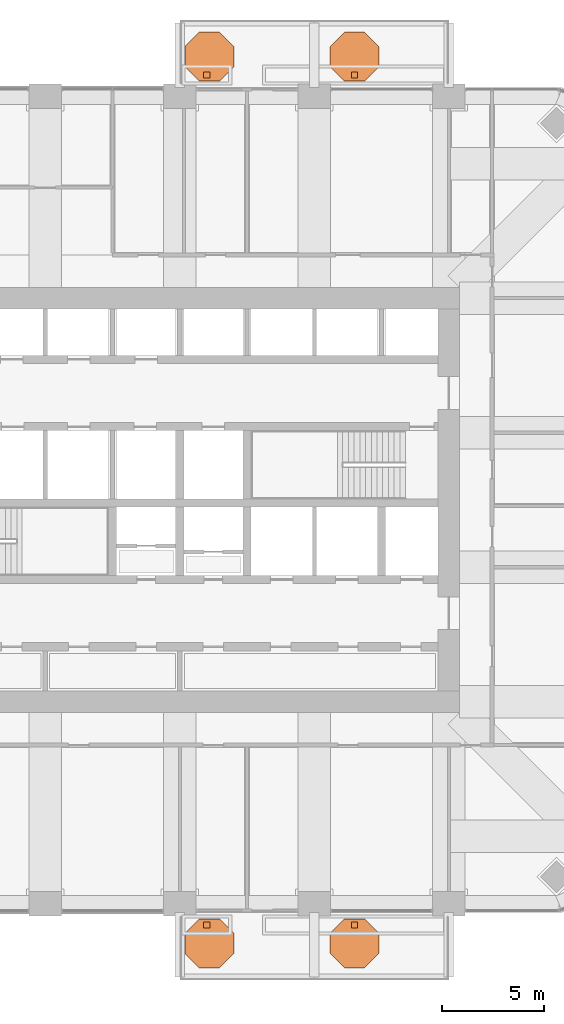
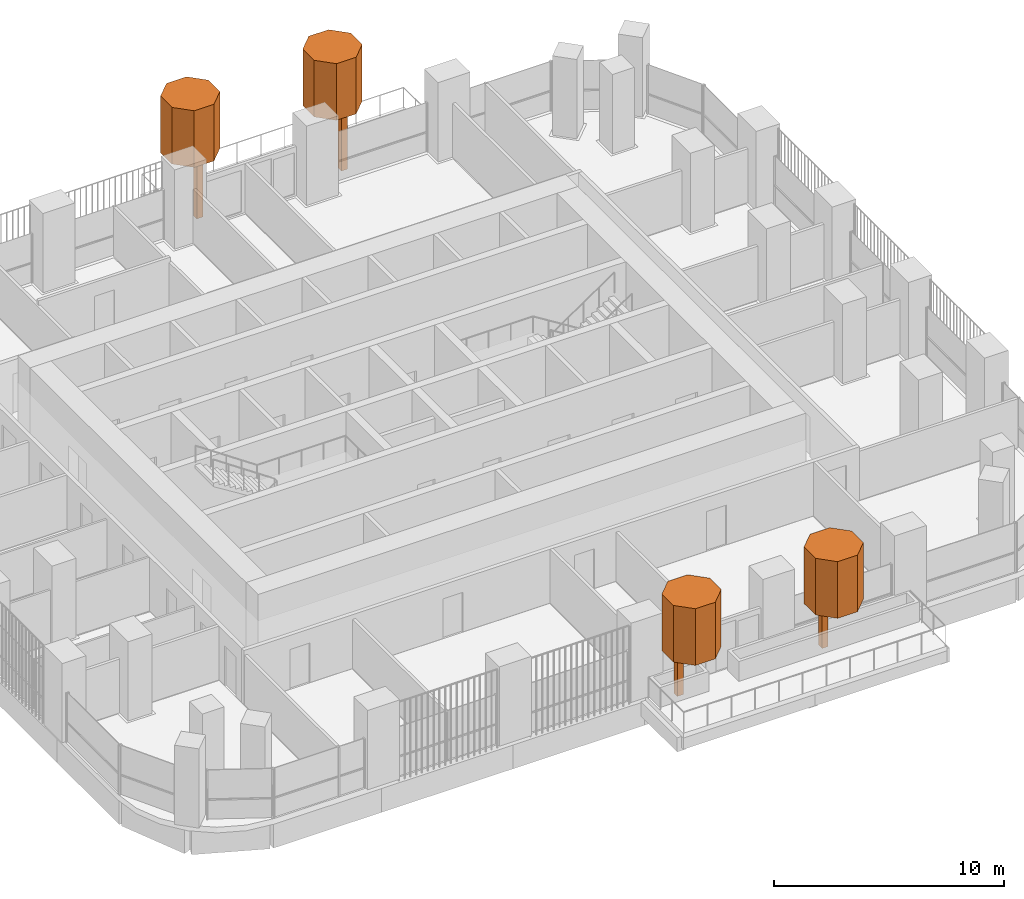
# One storey, part 20 of 20: 8 geographic elements.
"""IFC4 building model written with IfcOpenShell, lengths in metres."""

from ifc_helpers import new_model, si_unit, direction, frame, origin, origin_2d, place, context, subcontext, project, spatial, polyline, rectangle, outline, extrude, material, type_object, element, save


model = new_model("IFC4")

# Units and contexts
model_context = context("Model", 3, precision=1e-05, world=origin(), true_north=direction((0.0, 1.0)))
body_context = subcontext(model_context, "Body", "Model", "MODEL_VIEW")
ifc_project = project(units=[si_unit("LENGTHUNIT", "METRE"), si_unit("AREAUNIT", "SQUARE_METRE"), si_unit("VOLUMEUNIT", "CUBIC_METRE"), si_unit("PLANEANGLEUNIT", "RADIAN"), si_unit("MASSUNIT", "GRAM", prefix="KILO")], contexts=[model_context])

# Site, building, storey
site_placement = place(None, origin())
site = spatial("IfcSite", under=ifc_project, at=site_placement, CompositionType="ELEMENT")
building_placement = place(site_placement, origin())
building = spatial("IfcBuilding", under=site, at=building_placement, Name="Cobogo Forest Laboratory Tower", CompositionType="ELEMENT")
storey_placement = place(building_placement, frame((0.0, 0.0, 214.5)))
storey = spatial("IfcBuildingStorey", under=building, at=storey_placement, Name="L49", CompositionType="ELEMENT", Elevation=214.5)

# Geographic elements
ifc_material = material(Name="Planting", Category="plant")
geographic_element_type_1 = type_object("IfcGeographicElementType", Name="Tree trunk 300", PredefinedType="USERDEFINED", material=ifc_material)
for number, where, z_axis, x_axis, name in (
    (1, (27.72509765625, 2.25, 0.0), (0.0, 0.0, 1.0), (1.0, 0.0, 0.0), "Tree trunk BAL-S1-PL1 L49"),
    (2, (34.97509765625, 2.25, 0.0), (0.0, 0.0, 1.0), (1.0, 0.0, 0.0), "Tree trunk BAL-S1-PL2 L49"),
    (3, (27.72509765625, 43.949951171875, 0.0), (0.0, 0.0, 1.0), (1.0, 0.0, 0.0), "Tree trunk BAL-N1-PL1 L49"),
    (4, (34.97509765625, 43.949951171875, 0.0), (0.0, 0.0, 1.0), (1.0, 0.0, 0.0), "Tree trunk BAL-N1-PL2 L49"),
):
    element("IfcGeographicElement", number, at=place(storey_placement, frame(where, z_axis=z_axis, x_axis=x_axis)), inside=storey, type_object=geographic_element_type_1, Name=name, ObjectType="TREE TRUNK", PredefinedType="USERDEFINED", context=body_context, shape_type="SweptSolid", body=[
        extrude(rectangle(XDim=0.300048828125, YDim=0.300048828125, at=origin_2d()), origin(), (0.0, 0.0, 1.0), 2.89990234375),
    ])
geographic_element_type_2 = type_object("IfcGeographicElementType", Name="Tree, holm oak 5 m", PredefinedType="USERDEFINED", material=ifc_material)
geographic_element_1_placement = place(storey_placement, frame((0.0, 0.0, 2.89990234375)))
element("IfcGeographicElement", 5, at=geographic_element_1_placement, inside=storey, type_object=geographic_element_type_2, Name="Holm tree BAL-S1-PL1 L49", ObjectType="TREE", PredefinedType="USERDEFINED", context=body_context, shape_type="SweptSolid", body=[
    extrude(outline(polyline([(29.050048828125, 0.85302734375), (29.050048828125, 1.84716796875), (28.34716796875, 2.550048828125), (27.35302734375, 2.550048828125), (26.64990234375, 1.84716796875), (26.64990234375, 0.85302734375), (27.35302734375, 0.14990234375), (28.34716796875, 0.14990234375), (29.050048828125, 0.85302734375)])), origin(), (0.0, 0.0, 1.0), 3.0),
])
geographic_element_2_placement = place(storey_placement, frame((0.0, 0.0, 2.89990234375)))
element("IfcGeographicElement", 6, at=geographic_element_2_placement, inside=storey, type_object=geographic_element_type_2, Name="Holm tree BAL-S1-PL2 L49", ObjectType="TREE", PredefinedType="USERDEFINED", context=body_context, shape_type="SweptSolid", body=[
    extrude(outline(polyline([(36.175048828125, 0.85302734375), (36.175048828125, 1.84716796875), (35.47216796875, 2.550048828125), (34.47802734375, 2.550048828125), (33.77490234375, 1.84716796875), (33.77490234375, 0.85302734375), (34.47802734375, 0.14990234375), (35.47216796875, 0.14990234375), (36.175048828125, 0.85302734375)])), origin(), (0.0, 0.0, 1.0), 3.0),
])
geographic_element_3_placement = place(storey_placement, frame((0.0, 0.0, 2.89990234375)))
element("IfcGeographicElement", 7, at=geographic_element_3_placement, inside=storey, type_object=geographic_element_type_2, Name="Holm tree BAL-N1-PL1 L49", ObjectType="TREE", PredefinedType="USERDEFINED", context=body_context, shape_type="SweptSolid", body=[
    extrude(outline(polyline([(29.050048828125, 44.35302734375), (29.050048828125, 45.34716796875), (28.34716796875, 46.050048828125), (27.35302734375, 46.050048828125), (26.64990234375, 45.34716796875), (26.64990234375, 44.35302734375), (27.35302734375, 43.64990234375), (28.34716796875, 43.64990234375), (29.050048828125, 44.35302734375)])), origin(), (0.0, 0.0, 1.0), 3.0),
])
geographic_element_4_placement = place(storey_placement, frame((0.0, 0.0, 2.89990234375)))
element("IfcGeographicElement", 8, at=geographic_element_4_placement, inside=storey, type_object=geographic_element_type_2, Name="Holm tree BAL-N1-PL2 L49", ObjectType="TREE", PredefinedType="USERDEFINED", context=body_context, shape_type="SweptSolid", body=[
    extrude(outline(polyline([(36.175048828125, 44.35302734375), (36.175048828125, 45.34716796875), (35.47216796875, 46.050048828125), (34.47802734375, 46.050048828125), (33.77490234375, 45.34716796875), (33.77490234375, 44.35302734375), (34.47802734375, 43.64990234375), (35.47216796875, 43.64990234375), (36.175048828125, 44.35302734375)])), origin(), (0.0, 0.0, 1.0), 3.0),
])

save(model, "model.ifc")
